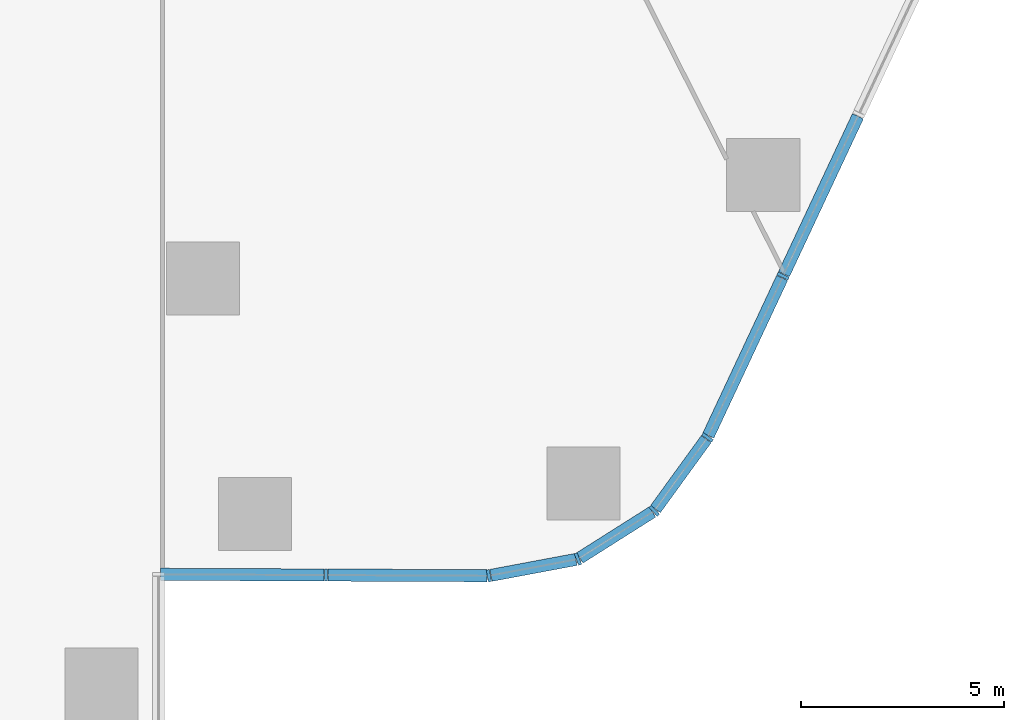
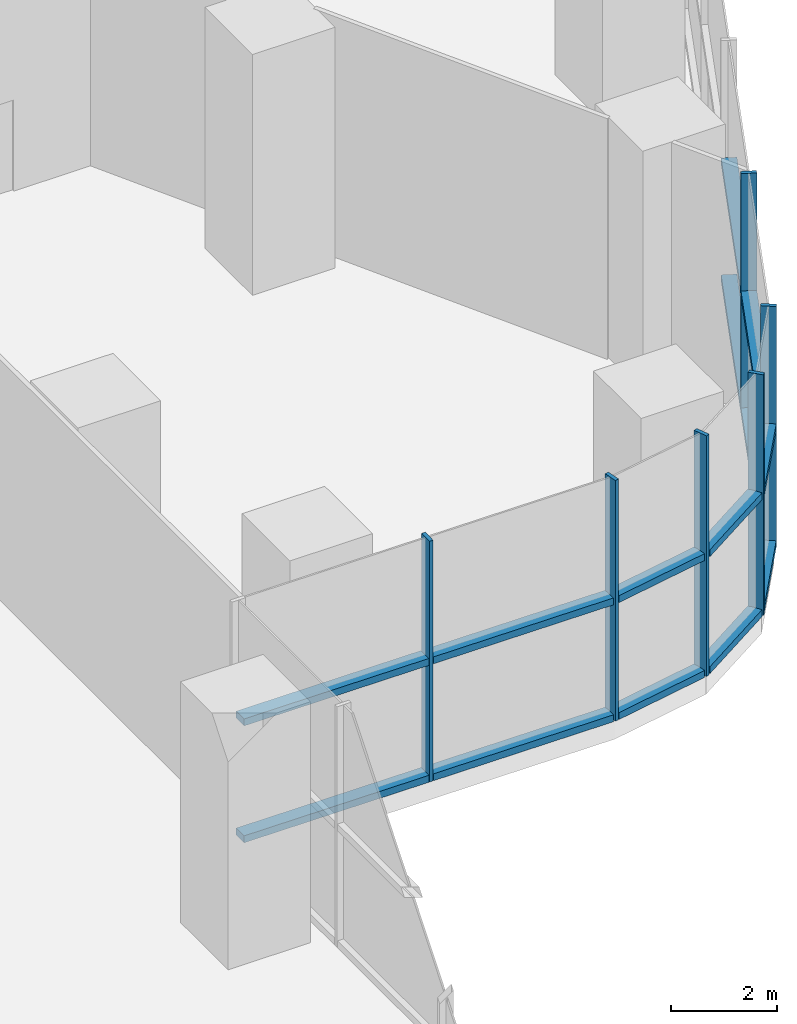
# One storey, part 3 of 15: 20 members, 3 elements without a shape of their own.
"""IFC4 building model written with IfcOpenShell, lengths in metres."""

from ifc_helpers import new_model, si_unit, direction, frame, origin, origin_2d, place, context, subcontext, project, spatial, rectangle, extrude, material, layer, layer_set, material_profile, profile_set, type_object, element, aggregate, save


model = new_model("IFC4")

# Units and contexts
model_context = context("Model", 3, precision=1e-05, world=origin(), true_north=direction((0.0, 1.0)))
body_context = subcontext(model_context, "Body", "Model", "MODEL_VIEW")
ifc_project = project(units=[si_unit("LENGTHUNIT", "METRE"), si_unit("AREAUNIT", "SQUARE_METRE"), si_unit("VOLUMEUNIT", "CUBIC_METRE"), si_unit("PLANEANGLEUNIT", "RADIAN"), si_unit("MASSUNIT", "GRAM", prefix="KILO")], contexts=[model_context])

# Site, building, storey
site_placement = place(None, origin())
site = spatial("IfcSite", under=ifc_project, at=site_placement, CompositionType="ELEMENT")
building_placement = place(site_placement, origin())
building = spatial("IfcBuilding", under=site, at=building_placement, Name="Dongbaek Canopy Tower", CompositionType="ELEMENT")
storey_placement = place(building_placement, frame((0.0, 0.0, 27.0)))
storey = spatial("IfcBuildingStorey", under=building, at=storey_placement, Name="L03", CompositionType="ELEMENT", Elevation=27.0)

# Curtain wall, members
ifc_material_1 = material(Name="Aluminium 6063-T6 pale anodised", Category="aluminium")
ifc_layer = layer(ifc_material_1, 0.300048828125)
ifc_layer_set = layer_set([ifc_layer], Name="CW-2 podium hall curtain wall")
curtain_wall_type = type_object("IfcCurtainWallType", Name="CW-2 podium hall curtain wall", PredefinedType="NOTDEFINED", material=ifc_layer_set)
curtain_wall_1_placement = place(storey_placement, origin())
curtain_wall_1 = element("IfcCurtainWall", 1, at=curtain_wall_1_placement, inside=storey, type_object=curtain_wall_type, Name="CW-2 curtain wall K0.1", PredefinedType="NOTDEFINED")
ifc_material_2 = material(Name="Aluminium 6063-T6 pale anodised", Category="aluminium")
ifc_material_profile_1 = material_profile(ifc_material_2, rectangle(XDim=0.300048828125, YDim=0.080078125, at=origin_2d()), Name="CW-2 mullion 80 x 300")
ifc_profile_set_1 = profile_set([ifc_material_profile_1], Name="Aluminium 6063-T6 pale anodised")
member_type_1 = type_object("IfcMemberType", Name="CW-2 mullion 80 x 300", PredefinedType="MULLION", material=ifc_profile_set_1)
member_1_placement = place(storey_placement, frame((16.03662109375, -34.31591796875, 0.0), z_axis=(0.0, 0.0, 1.0), x_axis=(0.184024020391, -0.98292174659, 0.0)))
member_1 = element("IfcMember", 2, at=member_1_placement, type_object=member_type_1, Name="CW-2 mullion K0.1.1", PredefinedType="MULLION", context=body_context, shape_type="SweptSolid", body=[
    extrude(rectangle(XDim=0.300048828125, YDim=0.080078125, at=origin_2d()), origin(), (0.0, 0.0, 1.0), 5.550048828125),
])
member_2_placement = place(storey_placement, frame((18.23095703125, -33.9052734375, 0.0), z_axis=(0.0, 0.0, 1.0), x_axis=(0.365922378018, -0.930645374601, 0.0)))
member_2 = element("IfcMember", 3, at=member_2_placement, type_object=member_type_1, Name="CW-2 mullion K0.1.2", PredefinedType="MULLION", context=body_context, shape_type="SweptSolid", body=[
    extrude(rectangle(XDim=0.300048828125, YDim=0.080078125, at=origin_2d()), origin(), (0.0, 0.0, 1.0), 5.550048828125),
])
member_3_placement = place(storey_placement, frame((20.10888671875, -32.716796875, 0.0), z_axis=(0.0, 0.0, 1.0), x_axis=(0.684351137635, -0.729152604342, 0.0)))
member_3 = element("IfcMember", 4, at=member_3_placement, type_object=member_type_1, Name="CW-2 mullion K0.1.3", PredefinedType="MULLION", context=body_context, shape_type="SweptSolid", body=[
    extrude(rectangle(XDim=0.300048828125, YDim=0.080078125, at=origin_2d()), origin(), (0.0, 0.0, 1.0), 5.550048828125),
])
member_4_placement = place(storey_placement, frame((21.419677734375, -30.909912109375, 0.0), z_axis=(0.0, 0.0, 1.0), x_axis=(0.809475494092, -0.587153663418, 0.0)))
member_4 = element("IfcMember", 5, at=member_4_placement, type_object=member_type_1, Name="CW-2 mullion K0.1.4", PredefinedType="MULLION", context=body_context, shape_type="SweptSolid", body=[
    extrude(rectangle(XDim=0.300048828125, YDim=0.080078125, at=origin_2d()), origin(), (0.0, 0.0, 1.0), 5.550048828125),
])

# Curtain wall, member
curtain_wall_2_placement = place(storey_placement, origin())
curtain_wall_2 = element("IfcCurtainWall", 6, at=curtain_wall_2_placement, inside=storey, type_object=curtain_wall_type, Name="CW-2 curtain wall F0.1", PredefinedType="NOTDEFINED")
member_5_placement = place(storey_placement, frame((23.281005859375, -26.935546875, 0.0), z_axis=(0.0, 0.0, 1.0), x_axis=(0.905604654395, -0.424122871275, 0.0)))
member_5 = element("IfcMember", 7, at=member_5_placement, type_object=member_type_1, Name="CW-2 mullion F0.1.2", PredefinedType="MULLION", context=body_context, shape_type="SweptSolid", body=[
    extrude(rectangle(XDim=0.300048828125, YDim=0.080078125, at=origin_2d()), origin(), (0.0, 0.0, 1.0), 5.550048828125),
])

curtain_wall_3_placement = place(storey_placement, origin())
curtain_wall_3 = element("IfcCurtainWall", 8, at=curtain_wall_3_placement, inside=storey, type_object=curtain_wall_type, Name="CW-2 curtain wall F9.1", PredefinedType="NOTDEFINED")
member_6_placement = place(storey_placement, frame((12.0234375, -34.298095703125, 0.0), z_axis=(0.0, 0.0, 1.0), x_axis=(-0.004466151006, -0.999990026698, 0.0)))
member_6 = element("IfcMember", 9, at=member_6_placement, type_object=member_type_1, Name="CW-2 mullion F9.1.2", PredefinedType="MULLION", context=body_context, shape_type="SweptSolid", body=[
    extrude(rectangle(XDim=0.300048828125, YDim=0.080078125, at=origin_2d()), origin(), (0.0, 0.0, 1.0), 5.550048828125),
])

# Member
ifc_material_3 = material(Name="Aluminium 6063-T6 pale anodised", Category="aluminium")
ifc_material_profile_2 = material_profile(ifc_material_3, rectangle(XDim=0.300048828125, YDim=0.159912109375, at=origin_2d()), Name="CW-2 transom 160 x 300")
ifc_profile_set_2 = profile_set([ifc_material_profile_2], Name="Aluminium 6063-T6 pale anodised")
member_type_2 = type_object("IfcMemberType", Name="CW-2 transom 160 x 300", PredefinedType="USERDEFINED", material=ifc_profile_set_2)
member_7_placement = place(storey_placement, frame((16.087890625, -34.306396484375, 0.080078125), z_axis=(0.982924096729, 0.184011467221, 0.0), x_axis=(-0.184011467221, 0.982924096729, 0.0)))
member_7 = element("IfcMember", 10, at=member_7_placement, type_object=member_type_2, Name="CW-2 transom K0.1.1.1", ObjectType="TRANSOM", PredefinedType="USERDEFINED", context=body_context, shape_type="SweptSolid", body=[
    extrude(rectangle(XDim=0.300048828125, YDim=0.159912109375, at=origin_2d()), origin(), (0.0, 0.0, 1.0), 2.128173828125),
])

member_8_placement = place(storey_placement, frame((16.087890625, -34.306396484375, 2.77490234375), z_axis=(0.982924096729, 0.184011467221, 0.0), x_axis=(-0.184011467221, 0.982924096729, 0.0)))
member_8 = element("IfcMember", 11, at=member_8_placement, type_object=member_type_2, Name="CW-2 transom K0.1.1.2", ObjectType="TRANSOM", PredefinedType="USERDEFINED", context=body_context, shape_type="SweptSolid", body=[
    extrude(rectangle(XDim=0.300048828125, YDim=0.159912109375, at=origin_2d()), origin(), (0.0, 0.0, 1.0), 2.128173828125),
])

member_9_placement = place(storey_placement, frame((18.27490234375, -33.87744140625, 0.080078125), z_axis=(0.845006566242, 0.534755928446, 0.0), x_axis=(-0.534755928446, 0.845006566242, 0.0)))
member_9 = element("IfcMember", 12, at=member_9_placement, type_object=member_type_2, Name="CW-2 transom K0.1.2.1", ObjectType="TRANSOM", PredefinedType="USERDEFINED", context=body_context, shape_type="SweptSolid", body=[
    extrude(rectangle(XDim=0.300048828125, YDim=0.159912109375, at=origin_2d()), origin(), (0.0, 0.0, 1.0), 2.118408203125),
])

member_10_placement = place(storey_placement, frame((18.27490234375, -33.87744140625, 2.77490234375), z_axis=(0.845006566242, 0.534755928446, 0.0), x_axis=(-0.534755928446, 0.845006566242, 0.0)))
member_10 = element("IfcMember", 13, at=member_10_placement, type_object=member_type_2, Name="CW-2 transom K0.1.2.2", ObjectType="TRANSOM", PredefinedType="USERDEFINED", context=body_context, shape_type="SweptSolid", body=[
    extrude(rectangle(XDim=0.300048828125, YDim=0.159912109375, at=origin_2d()), origin(), (0.0, 0.0, 1.0), 2.118408203125),
])

member_11_placement = place(storey_placement, frame((20.1396484375, -32.6748046875, 0.080078125), z_axis=(0.587093507352, 0.809519124928, 0.0), x_axis=(-0.809519124928, 0.587093507352, 0.0)))
member_11 = element("IfcMember", 14, at=member_11_placement, type_object=member_type_2, Name="CW-2 transom K0.1.3.1", ObjectType="TRANSOM", PredefinedType="USERDEFINED", context=body_context, shape_type="SweptSolid", body=[
    extrude(rectangle(XDim=0.300048828125, YDim=0.159912109375, at=origin_2d()), origin(), (0.0, 0.0, 1.0), 2.12841796875),
])

member_12_placement = place(storey_placement, frame((20.1396484375, -32.6748046875, 2.77490234375), z_axis=(0.587093507352, 0.809519124928, 0.0), x_axis=(-0.809519124928, 0.587093507352, 0.0)))
member_12 = element("IfcMember", 15, at=member_12_placement, type_object=member_type_2, Name="CW-2 transom K0.1.3.2", ObjectType="TRANSOM", PredefinedType="USERDEFINED", context=body_context, shape_type="SweptSolid", body=[
    extrude(rectangle(XDim=0.300048828125, YDim=0.159912109375, at=origin_2d()), origin(), (0.0, 0.0, 1.0), 2.12841796875),
])

aggregate(curtain_wall_1, [member_1, member_2, member_3, member_4, member_7, member_8, member_9, member_10, member_11, member_12])

member_13_placement = place(storey_placement, frame((21.441650390625, -30.86279296875, 0.080078125), z_axis=(0.424114132292, 0.905608747081, 0.0), x_axis=(-0.905608747081, 0.424114132292, 0.0)))
member_13 = element("IfcMember", 16, at=member_13_placement, type_object=member_type_2, Name="CW-2 transom F0.1.1.1", ObjectType="TRANSOM", PredefinedType="USERDEFINED", context=body_context, shape_type="SweptSolid", body=[
    extrude(rectangle(XDim=0.300048828125, YDim=0.159912109375, at=origin_2d()), origin(), (0.0, 0.0, 1.0), 4.28466796875),
])

member_14_placement = place(storey_placement, frame((21.441650390625, -30.86279296875, 2.77490234375), z_axis=(0.424114132292, 0.905608747081, 0.0), x_axis=(-0.905608747081, 0.424114132292, 0.0)))
member_14 = element("IfcMember", 17, at=member_14_placement, type_object=member_type_2, Name="CW-2 transom F0.1.1.2", ObjectType="TRANSOM", PredefinedType="USERDEFINED", context=body_context, shape_type="SweptSolid", body=[
    extrude(rectangle(XDim=0.300048828125, YDim=0.159912109375, at=origin_2d()), origin(), (0.0, 0.0, 1.0), 4.28466796875),
])

member_15_placement = place(storey_placement, frame((23.302978515625, -26.888427734375, 0.080078125), z_axis=(0.424142520697, 0.905595451698, 0.0), x_axis=(-0.905595451698, 0.424142520697, 0.0)))
member_15 = element("IfcMember", 18, at=member_15_placement, type_object=member_type_2, Name="CW-2 transom F0.1.2.1", ObjectType="TRANSOM", PredefinedType="USERDEFINED", context=body_context, shape_type="SweptSolid", body=[
    extrude(rectangle(XDim=0.300048828125, YDim=0.159912109375, at=origin_2d()), origin(), (0.0, 0.0, 1.0), 4.2939453125),
])

member_16_placement = place(storey_placement, frame((23.302978515625, -26.888427734375, 2.77490234375), z_axis=(0.424142520697, 0.905595451698, 0.0), x_axis=(-0.905595451698, 0.424142520697, 0.0)))
member_16 = element("IfcMember", 19, at=member_16_placement, type_object=member_type_2, Name="CW-2 transom F0.1.2.2", ObjectType="TRANSOM", PredefinedType="USERDEFINED", context=body_context, shape_type="SweptSolid", body=[
    extrude(rectangle(XDim=0.300048828125, YDim=0.159912109375, at=origin_2d()), origin(), (0.0, 0.0, 1.0), 4.2939453125),
])

aggregate(curtain_wall_2, [member_5, member_13, member_14, member_15, member_16])

member_17_placement = place(storey_placement, frame((7.951904296875, -34.27978515625, 0.080078125), z_axis=(0.999989899191, -0.004494609605, 0.0), x_axis=(0.004494609605, 0.999989899191, 0.0)))
member_17 = element("IfcMember", 20, at=member_17_placement, type_object=member_type_2, Name="CW-2 transom F9.1.1.1", ObjectType="TRANSOM", PredefinedType="USERDEFINED", context=body_context, shape_type="SweptSolid", body=[
    extrude(rectangle(XDim=0.300048828125, YDim=0.159912109375, at=origin_2d()), origin(), (0.0, 0.0, 1.0), 4.01953125),
])

member_18_placement = place(storey_placement, frame((7.951904296875, -34.27978515625, 2.77490234375), z_axis=(0.999989899191, -0.004494609605, 0.0), x_axis=(0.004494609605, 0.999989899191, 0.0)))
member_18 = element("IfcMember", 21, at=member_18_placement, type_object=member_type_2, Name="CW-2 transom F9.1.1.2", ObjectType="TRANSOM", PredefinedType="USERDEFINED", context=body_context, shape_type="SweptSolid", body=[
    extrude(rectangle(XDim=0.300048828125, YDim=0.159912109375, at=origin_2d()), origin(), (0.0, 0.0, 1.0), 4.01953125),
])

member_19_placement = place(storey_placement, frame((12.075439453125, -34.29833984375, 0.080078125), z_axis=(0.999990169194, -0.004434130778, 0.0), x_axis=(0.004434130778, 0.999990169194, 0.0)))
member_19 = element("IfcMember", 22, at=member_19_placement, type_object=member_type_2, Name="CW-2 transom F9.1.2.1", ObjectType="TRANSOM", PredefinedType="USERDEFINED", context=body_context, shape_type="SweptSolid", body=[
    extrude(rectangle(XDim=0.300048828125, YDim=0.159912109375, at=origin_2d()), origin(), (0.0, 0.0, 1.0), 3.9091796875),
])

member_20_placement = place(storey_placement, frame((12.075439453125, -34.29833984375, 2.77490234375), z_axis=(0.999990169194, -0.004434130778, 0.0), x_axis=(0.004434130778, 0.999990169194, 0.0)))
member_20 = element("IfcMember", 23, at=member_20_placement, type_object=member_type_2, Name="CW-2 transom F9.1.2.2", ObjectType="TRANSOM", PredefinedType="USERDEFINED", context=body_context, shape_type="SweptSolid", body=[
    extrude(rectangle(XDim=0.300048828125, YDim=0.159912109375, at=origin_2d()), origin(), (0.0, 0.0, 1.0), 3.9091796875),
])

aggregate(curtain_wall_3, [member_6, member_17, member_18, member_19, member_20])

save(model, "model.ifc")
